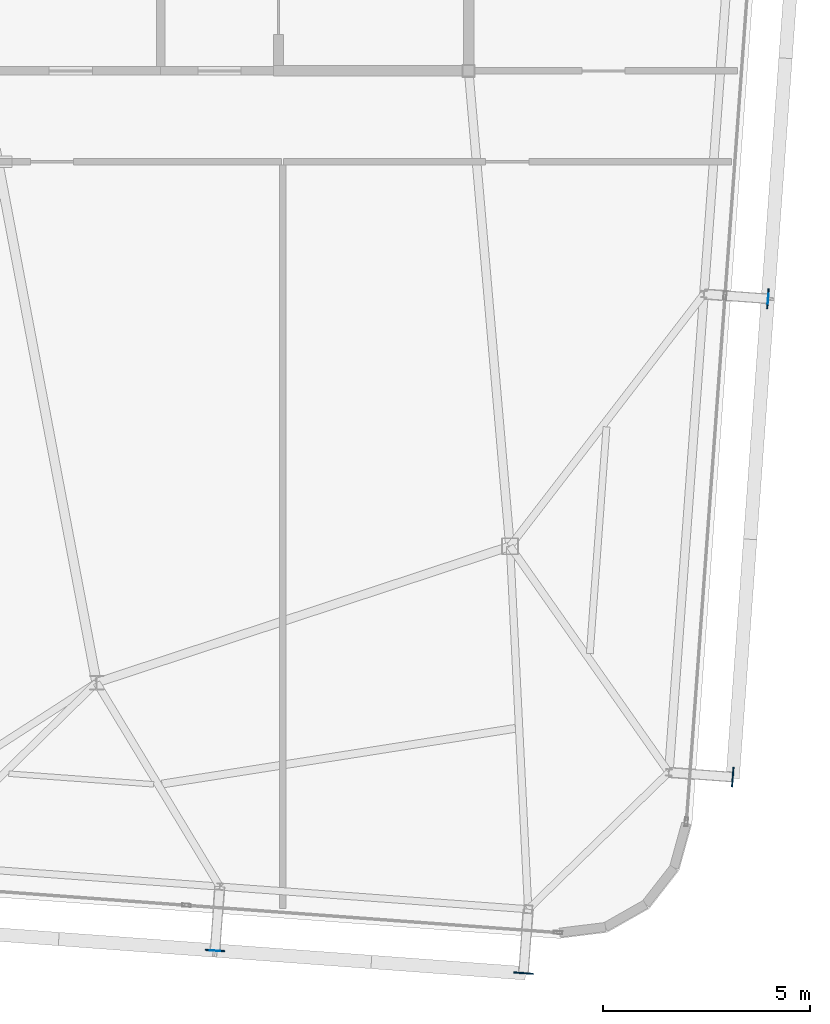
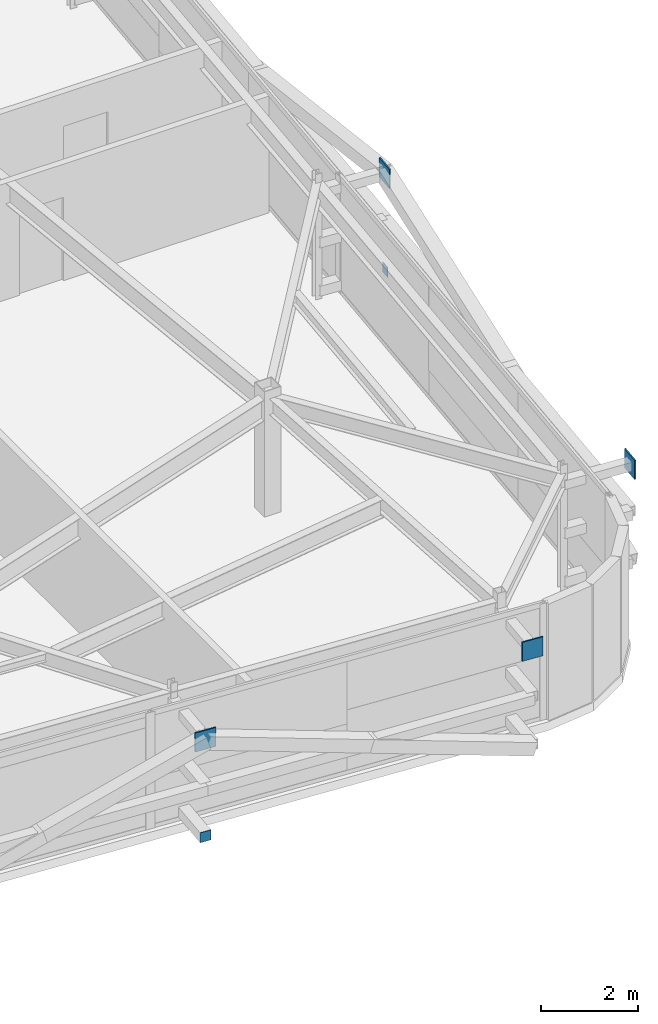
# One storey, part 32 of 39: 6 plates.
"""IFC4 building model written with IfcOpenShell, lengths in metres."""

from ifc_helpers import new_model, si_unit, direction, frame, origin, origin_2d, place, context, subcontext, project, spatial, rectangle, extrude, source, transform, mapped, material, layer, layer_set, type_object, element, save


model = new_model("IFC4")

# Units and contexts
model_context = context("Model", 3, precision=1e-05, world=origin(), true_north=direction((0.0, 1.0)))
body_context = subcontext(model_context, "Body", "Model", "MODEL_VIEW")
ifc_project = project(units=[si_unit("LENGTHUNIT", "METRE"), si_unit("AREAUNIT", "SQUARE_METRE"), si_unit("VOLUMEUNIT", "CUBIC_METRE"), si_unit("PLANEANGLEUNIT", "RADIAN"), si_unit("MASSUNIT", "GRAM", prefix="KILO")], contexts=[model_context])

# Site, building, storey
site_placement = place(None, origin())
site = spatial("IfcSite", under=ifc_project, at=site_placement, CompositionType="ELEMENT")
building_placement = place(site_placement, origin())
building = spatial("IfcBuilding", under=site, at=building_placement, Name="Taldren Reach Tower", CompositionType="ELEMENT")
storey_placement = place(building_placement, frame((0.0, 0.0, 230.300048828125)))
storey = spatial("IfcBuildingStorey", under=building, at=storey_placement, Name="L70", CompositionType="ELEMENT", Elevation=230.300048828125)

# Plates
ifc_material_1 = material(Name="Steel Gr 350 (C350L0)", Category="steel")
ifc_layer_1 = layer(ifc_material_1, 0.011962890625)
ifc_layer_set_1 = layer_set([ifc_layer_1], Name="Steel Gr 350 (C350L0)")
plate_type_1 = type_object("IfcPlateType", Name="PL-CAP-250", PredefinedType="SHEET", material=ifc_layer_set_1)
shared_shape_1 = source(origin(), body_context, "Body", "SweptSolid", [
    extrude(rectangle(XDim=0.25, YDim=0.011962890625, at=origin_2d()), origin(), (0.0, 0.0, 1.0), 0.25),
])
plate_1_placement = place(storey_placement, frame((44.866455078125, 2.717041015625, 0.094970703125), z_axis=(0.0, 0.0, 1.0), x_axis=(0.997314477224, -0.073238197128, 0.0)))
element("IfcPlate", 1, at=plate_1_placement, inside=storey, type_object=plate_type_1, Name="Tie strut end cap plate B5-S5 L70", PredefinedType="SHEET", context=body_context, shape_type="MappedRepresentation", body=[
    mapped(shared_shape_1, transform((0.0, 0.0, 0.0), scale=1.0)),
])
shared_shape_2 = source(origin(), body_context, "Body", "SweptSolid", [
    extrude(rectangle(XDim=0.011962890625, YDim=0.25, at=origin_2d()), origin(), (0.0, 0.0, 1.0), 0.25),
])
plate_2_placement = place(storey_placement, frame((58.2431640625, 18.48583984375, 0.094970703125), z_axis=(0.0, 0.0, 1.0), x_axis=(0.997314477224, -0.073238197128, 0.0)))
element("IfcPlate", 2, at=plate_2_placement, inside=storey, type_object=plate_type_1, Name="Tie strut end cap plate B5-E2 L70", PredefinedType="SHEET", context=body_context, shape_type="MappedRepresentation", body=[
    mapped(shared_shape_2, transform((0.0, 0.0, 0.0), scale=1.0)),
])
ifc_material_2 = material(Name="Steel Gr 450 (C450L0)", Category="steel")
ifc_layer_2 = layer(ifc_material_2, 0.031982421875)
ifc_layer_set_2 = layer_set([ifc_layer_2], Name="Steel Gr 450 (C450L0)")
plate_type_2 = type_object("IfcPlateType", Name="PL-GUSSET-32", PredefinedType="SHEET", material=ifc_layer_set_2)
shared_shape_3 = source(origin(), body_context, "Body", "SweptSolid", [
    extrude(rectangle(XDim=0.47998046875, YDim=0.031982421875, at=origin_2d()), origin(), (0.0, 0.0, 1.0), 0.47998046875),
])
for number, where, z_axis, x_axis, name in (
    (3, (44.86669921875, 2.72314453125, 2.409912109375), (0.0, 0.0, 1.0), (0.997314477224, -0.073238197128, 0.0), "Exoskeleton star-node gusset plate B5-S5 L70"),
    (4, (52.32666015625, 2.17529296875, 2.409912109375), (0.0, 0.0, 1.0), (0.997314477224, -0.073238197128, 0.0), "Exoskeleton star-node gusset plate B5-S6 L70"),
    (5, (57.3876953125, 6.91748046875, 2.409912109375), (0.0, 0.0, 1.0), (0.073238197128, 0.997314477224, 0.0), "Exoskeleton star-node gusset plate B5-E1 L70"),
    (6, (58.237060546875, 18.486328125, 2.409912109375), (0.0, 0.0, 1.0), (0.073238197128, 0.997314477224, 0.0), "Exoskeleton star-node gusset plate B5-E2 L70"),
):
    element("IfcPlate", number, at=place(storey_placement, frame(where, z_axis=z_axis, x_axis=x_axis)), inside=storey, type_object=plate_type_2, Name=name, PredefinedType="SHEET", context=body_context, shape_type="MappedRepresentation", body=[
        mapped(shared_shape_3, transform((0.0, 0.0, 0.0), scale=1.0)),
    ])

save(model, "model.ifc")
